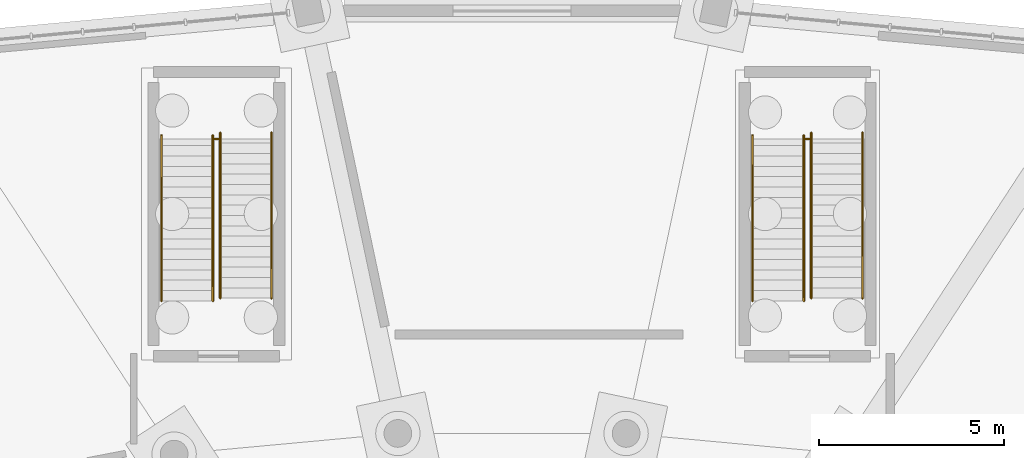
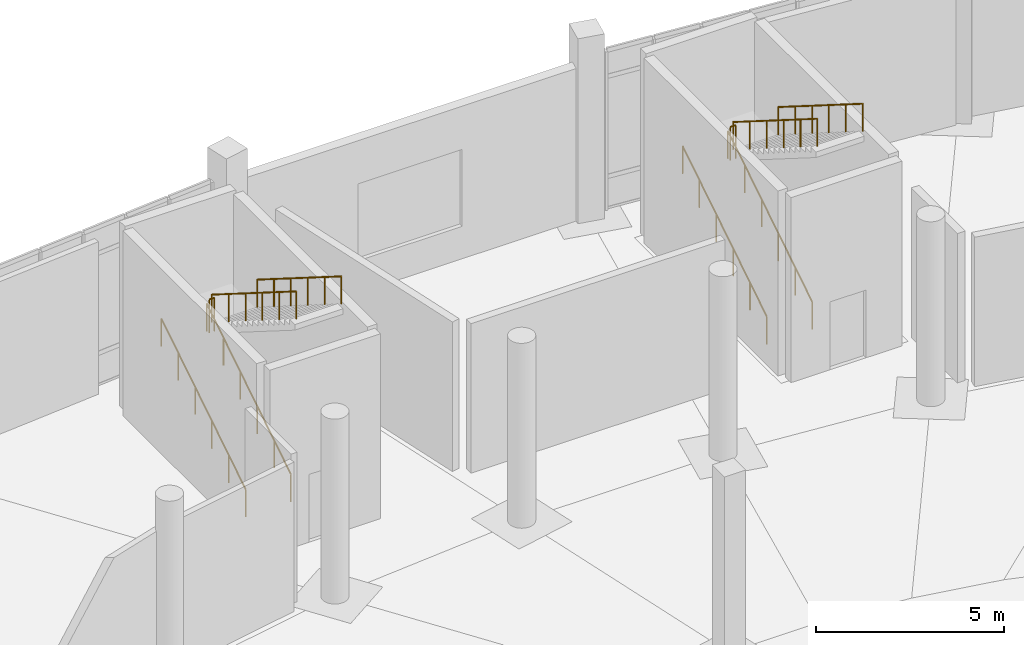
# One storey, part 138 of 140: 10 railings.
"""IFC4 building model written with IfcOpenShell, lengths in metres."""

from ifc_helpers import new_model, si_unit, direction, frame, origin, origin_2d, place, context, subcontext, project, spatial, circle, extrude, material, layer, layer_set, type_object, element, save


model = new_model("IFC4")

# Units and contexts
model_context = context("Model", 3, precision=1e-05, world=origin(), true_north=direction((0.0, 1.0)))
body_context = subcontext(model_context, "Body", "Model", "MODEL_VIEW")
ifc_project = project(units=[si_unit("LENGTHUNIT", "METRE"), si_unit("AREAUNIT", "SQUARE_METRE"), si_unit("VOLUMEUNIT", "CUBIC_METRE"), si_unit("PLANEANGLEUNIT", "RADIAN"), si_unit("MASSUNIT", "GRAM", prefix="KILO")], contexts=[model_context])

# Site, building, storey
site_placement = place(None, origin())
site = spatial("IfcSite", under=ifc_project, at=site_placement, CompositionType="ELEMENT")
building_placement = place(site_placement, origin())
building = spatial("IfcBuilding", under=site, at=building_placement, Name="Corvandel Quay Wholesale Market", CompositionType="ELEMENT")
storey_placement = place(building_placement, origin())
storey = spatial("IfcBuildingStorey", under=building, at=storey_placement, Name="L00", CompositionType="ELEMENT", Elevation=0.0)

# Railings
ifc_material_1 = material(Name="Painted galvanised tubular steel", Category="steel")
ifc_layer_1 = layer(ifc_material_1, 0.054931640625)
ifc_layer_set_1 = layer_set([ifc_layer_1], Name="Painted galvanised tubular steel")
railing_type_1 = type_object("IfcRailingType", Name="Stairwell Inner Guard Railing GR02 1100mm", PredefinedType="GUARDRAIL", material=ifc_layer_set_1)
for number, where, name in (
    (1, (105.919921875, 138.530029296875, 3.0), "Stair Landing Well Guard 0061"),
    (2, (121.919921875, 138.530029296875, 3.0), "Stair Landing Well Guard 0067"),
):
    element("IfcRailing", number, at=place(storey_placement, frame(where)), inside=storey, type_object=railing_type_1, Name=name, PredefinedType="GUARDRAIL", context=body_context, shape_type="SweptSolid", body=[
        extrude(circle(Radius=0.02392578125, at=origin_2d()), frame((0.0, 0.0, 1.076171875), z_axis=(1.0, 0.0, 0.0), x_axis=(0.0, 1.0, 0.0)), (0.0, 0.0, 1.0), 0.16015625),
        extrude(circle(Radius=0.02099609375, at=origin_2d()), origin(), (0.0, 0.0, 1.0), 1.052001953125),
        extrude(circle(Radius=0.02099609375, at=origin_2d()), frame((0.16015625, 0.0, 0.0)), (0.0, 0.0, 1.0), 1.052001953125),
    ])
ifc_material_2 = material(Name="Brushed austenitic stainless steel Grade 316", Category="steel")
ifc_layer_2 = layer(ifc_material_2, 0.048095703125)
ifc_layer_set_2 = layer_set([ifc_layer_2], Name="Brushed austenitic stainless steel Grade 316")
railing_type_2 = type_object("IfcRailingType", Name="Tubular Stainless Stair Handrail HR01 915mm", PredefinedType="HANDRAIL", material=ifc_layer_set_2)
for number, where, name in (
    (3, (104.510009765625, 134.14990234375, 0.176513671875), "Stair Handrail 0057"),
    (4, (105.89990234375, 134.14990234375, 0.176513671875), "Stair Handrail 0058"),
):
    element("IfcRailing", number, at=place(storey_placement, frame(where)), inside=storey, type_object=railing_type_2, Name=name, PredefinedType="HANDRAIL", context=body_context, shape_type="SweptSolid", body=[
        extrude(circle(Radius=0.02392578125, at=origin_2d()), frame((0.0, 0.0, 0.89111328125), z_axis=(0.0, 0.845997938375, 0.533186166611), x_axis=(-1.0, 0.0, 0.0)), (0.0, 0.0, 1.0), 5.29541015625),
        extrude(circle(Radius=0.02099609375, at=origin_2d()), origin(), (0.0, 0.0, 1.0), 0.866943359375),
        extrude(circle(Radius=0.02099609375, at=origin_2d()), frame((0.0, 0.89599609375, 0.564697265625)), (0.0, 0.0, 1.0), 0.866943359375),
        extrude(circle(Radius=0.02099609375, at=origin_2d()), frame((0.0, 1.7919921875, 1.12939453125)), (0.0, 0.0, 1.0), 0.866943359375),
        extrude(circle(Radius=0.02099609375, at=origin_2d()), frame((0.0, 2.68798828125, 1.694091796875)), (0.0, 0.0, 1.0), 0.866943359375),
        extrude(circle(Radius=0.02099609375, at=origin_2d()), frame((0.0, 3.583984375, 2.2587890625)), (0.0, 0.0, 1.0), 0.866943359375),
        extrude(circle(Radius=0.02099609375, at=origin_2d()), frame((0.0, 4.47998046875, 2.823486328125)), (0.0, 0.0, 1.0), 0.866943359375),
    ])
for number, where, name in (
    (5, (106.10009765625, 138.699951171875, 3.176513671875), "Stair Handrail 0059"),
    (6, (107.489990234375, 138.699951171875, 3.176513671875), "Stair Handrail 0060"),
):
    element("IfcRailing", number, at=place(storey_placement, frame(where)), inside=storey, type_object=railing_type_2, Name=name, PredefinedType="HANDRAIL", context=body_context, shape_type="SweptSolid", body=[
        extrude(circle(Radius=0.02392578125, at=origin_2d()), frame((0.0, 0.0, 0.89111328125), z_axis=(0.0, -0.845997938375, 0.533186166611), x_axis=(1.0, 0.0, 0.0)), (0.0, 0.0, 1.0), 5.29541015625),
        extrude(circle(Radius=0.02099609375, at=origin_2d()), origin(), (0.0, 0.0, 1.0), 0.866943359375),
        extrude(circle(Radius=0.02099609375, at=origin_2d()), frame((0.0, -0.89599609375, 0.564697265625)), (0.0, 0.0, 1.0), 0.866943359375),
        extrude(circle(Radius=0.02099609375, at=origin_2d()), frame((0.0, -1.7919921875, 1.12939453125)), (0.0, 0.0, 1.0), 0.866943359375),
        extrude(circle(Radius=0.02099609375, at=origin_2d()), frame((0.0, -2.68798828125, 1.694091796875)), (0.0, 0.0, 1.0), 0.866943359375),
        extrude(circle(Radius=0.02099609375, at=origin_2d()), frame((0.0, -3.583984375, 2.2587890625)), (0.0, 0.0, 1.0), 0.866943359375),
        extrude(circle(Radius=0.02099609375, at=origin_2d()), frame((0.0, -4.47998046875, 2.823486328125)), (0.0, 0.0, 1.0), 0.866943359375),
    ])
for number, where, name in (
    (7, (120.510009765625, 134.14990234375, 0.176513671875), "Stair Handrail 0063"),
    (8, (121.89990234375, 134.14990234375, 0.176513671875), "Stair Handrail 0064"),
):
    element("IfcRailing", number, at=place(storey_placement, frame(where)), inside=storey, type_object=railing_type_2, Name=name, PredefinedType="HANDRAIL", context=body_context, shape_type="SweptSolid", body=[
        extrude(circle(Radius=0.02392578125, at=origin_2d()), frame((0.0, 0.0, 0.89111328125), z_axis=(0.0, 0.845997938375, 0.533186166611), x_axis=(-1.0, 0.0, 0.0)), (0.0, 0.0, 1.0), 5.29541015625),
        extrude(circle(Radius=0.02099609375, at=origin_2d()), origin(), (0.0, 0.0, 1.0), 0.866943359375),
        extrude(circle(Radius=0.02099609375, at=origin_2d()), frame((0.0, 0.89599609375, 0.564697265625)), (0.0, 0.0, 1.0), 0.866943359375),
        extrude(circle(Radius=0.02099609375, at=origin_2d()), frame((0.0, 1.7919921875, 1.12939453125)), (0.0, 0.0, 1.0), 0.866943359375),
        extrude(circle(Radius=0.02099609375, at=origin_2d()), frame((0.0, 2.68798828125, 1.694091796875)), (0.0, 0.0, 1.0), 0.866943359375),
        extrude(circle(Radius=0.02099609375, at=origin_2d()), frame((0.0, 3.583984375, 2.2587890625)), (0.0, 0.0, 1.0), 0.866943359375),
        extrude(circle(Radius=0.02099609375, at=origin_2d()), frame((0.0, 4.47998046875, 2.823486328125)), (0.0, 0.0, 1.0), 0.866943359375),
    ])
for number, where, name in (
    (9, (122.10009765625, 138.699951171875, 3.176513671875), "Stair Handrail 0065"),
    (10, (123.489990234375, 138.699951171875, 3.176513671875), "Stair Handrail 0066"),
):
    element("IfcRailing", number, at=place(storey_placement, frame(where)), inside=storey, type_object=railing_type_2, Name=name, PredefinedType="HANDRAIL", context=body_context, shape_type="SweptSolid", body=[
        extrude(circle(Radius=0.02392578125, at=origin_2d()), frame((0.0, 0.0, 0.89111328125), z_axis=(0.0, -0.845997938375, 0.533186166611), x_axis=(1.0, 0.0, 0.0)), (0.0, 0.0, 1.0), 5.29541015625),
        extrude(circle(Radius=0.02099609375, at=origin_2d()), origin(), (0.0, 0.0, 1.0), 0.866943359375),
        extrude(circle(Radius=0.02099609375, at=origin_2d()), frame((0.0, -0.89599609375, 0.564697265625)), (0.0, 0.0, 1.0), 0.866943359375),
        extrude(circle(Radius=0.02099609375, at=origin_2d()), frame((0.0, -1.7919921875, 1.12939453125)), (0.0, 0.0, 1.0), 0.866943359375),
        extrude(circle(Radius=0.02099609375, at=origin_2d()), frame((0.0, -2.68798828125, 1.694091796875)), (0.0, 0.0, 1.0), 0.866943359375),
        extrude(circle(Radius=0.02099609375, at=origin_2d()), frame((0.0, -3.583984375, 2.2587890625)), (0.0, 0.0, 1.0), 0.866943359375),
        extrude(circle(Radius=0.02099609375, at=origin_2d()), frame((0.0, -4.47998046875, 2.823486328125)), (0.0, 0.0, 1.0), 0.866943359375),
    ])

save(model, "model.ifc")
